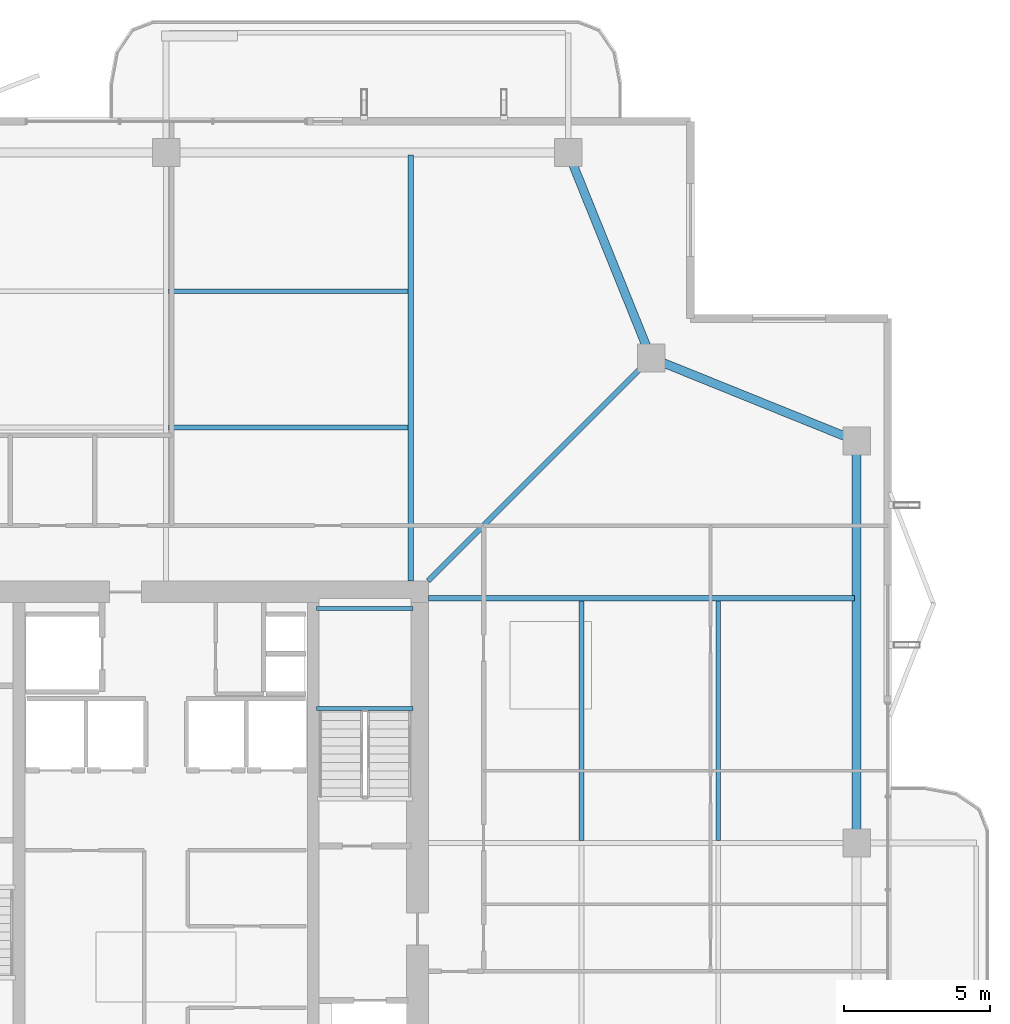
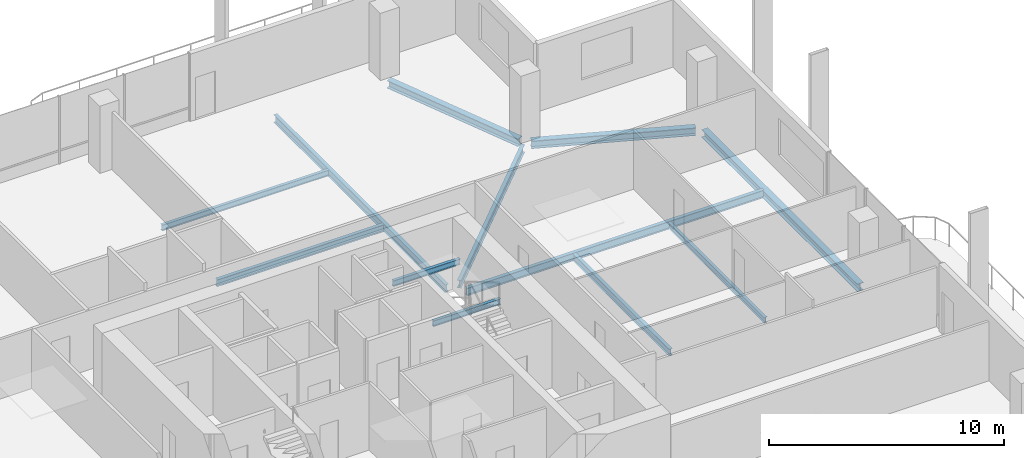
# One storey, part 14 of 25: 12 beams.
"""IFC4 building model written with IfcOpenShell, lengths in metres."""

from ifc_helpers import new_model, si_unit, direction, frame, origin, origin_2d, place, context, subcontext, project, spatial, i_section, extrude, material, material_profile, profile_set, type_object, element, save


model = new_model("IFC4")

# Units and contexts
model_context = context("Model", 3, precision=1e-05, world=origin(), true_north=direction((0.0, 1.0)))
body_context = subcontext(model_context, "Body", "Model", "MODEL_VIEW")
ifc_project = project(units=[si_unit("LENGTHUNIT", "METRE"), si_unit("AREAUNIT", "SQUARE_METRE"), si_unit("VOLUMEUNIT", "CUBIC_METRE"), si_unit("PLANEANGLEUNIT", "RADIAN"), si_unit("MASSUNIT", "GRAM", prefix="KILO")], contexts=[model_context])

# Site, building, storey
site_placement = place(None, origin())
site = spatial("IfcSite", under=ifc_project, at=site_placement, CompositionType="ELEMENT")
building_placement = place(site_placement, origin())
building = spatial("IfcBuilding", under=site, at=building_placement, Name="Belovzor Exchange Tower", CompositionType="ELEMENT")
storey_placement = place(building_placement, frame((0.0, 0.0, 265.35009765625)))
storey = spatial("IfcBuildingStorey", under=building, at=storey_placement, Name="L66", CompositionType="ELEMENT", Elevation=265.35009765625)

# Beams
ifc_material_1 = material(Name="Steel S355", Category="steel")
ifc_material_profile_1 = material_profile(ifc_material_1, i_section(OverallWidth=0.169921875, OverallDepth=0.360107421875, WebThickness=0.008056640625, FlangeThickness=0.0126953125, at=origin_2d()))
ifc_profile_set_1 = profile_set([ifc_material_profile_1], Name="Steel S355")
beam_type_1 = type_object("IfcBeamType", Name="Secondary Infill Floor Joist IPE 360", PredefinedType="BEAM", material=ifc_profile_set_1)
for number, where, z_axis, x_axis, name in (
    (1, (28.889892578125, 43.06494140625, -0.43017578125), (1.0, 0.0, 0.0), (0.0, 1.0, 0.0), "FJ-360 Secondary Infill Floor Joist IPE 360"),
    (2, (43.06494140625, 28.889892578125, -0.43017578125), (0.0, 1.0, 0.0), (-1.0, 0.0, 0.0), "FJ-360 Secondary Infill Floor Joist IPE 360"),
):
    element("IfcBeam", number, at=place(storey_placement, frame(where, z_axis=z_axis, x_axis=x_axis)), inside=storey, type_object=beam_type_1, Name=name, PredefinedType="BEAM", context=body_context, shape_type="SweptSolid", body=[
        extrude(i_section(OverallWidth=0.169921875, OverallDepth=0.360107421875, WebThickness=0.008056640625, FlangeThickness=0.0126953125, at=origin_2d()), origin(), (0.0, 0.0, 1.0), 8.22021484375),
    ])
ifc_material_2 = material(Name="Steel S355", Category="steel")
ifc_material_profile_2 = material_profile(ifc_material_2, i_section(OverallWidth=0.14990234375, OverallDepth=0.300048828125, WebThickness=0.007080078125, FlangeThickness=0.0107421875, at=origin_2d()))
ifc_profile_set_2 = profile_set([ifc_material_profile_2], Name="Steel S355")
beam_type_2 = type_object("IfcBeamType", Name="Secondary Trim Floor Joist IPE 300", PredefinedType="BEAM", material=ifc_profile_set_2)
for number, where, z_axis, x_axis, name in (
    (3, (37.280029296875, 33.419921875, 1.52490234375), (-1.0, 0.0, 0.0), (0.0, -1.0, 0.0), "FJ-300 Secondary Trim Floor Joist IPE 300"),
    (4, (37.280029296875, 36.85009765625, 1.52490234375), (-1.0, 0.0, 0.0), (0.0, -1.0, 0.0), "FJ-300 Secondary Trim Floor Joist IPE 300"),
):
    element("IfcBeam", number, at=place(storey_placement, frame(where, z_axis=z_axis, x_axis=x_axis)), inside=storey, type_object=beam_type_2, Name=name, PredefinedType="BEAM", context=body_context, shape_type="SweptSolid", body=[
        extrude(i_section(OverallWidth=0.14990234375, OverallDepth=0.300048828125, WebThickness=0.007080078125, FlangeThickness=0.0107421875, at=origin_2d()), origin(), (0.0, 0.0, 1.0), 3.31005859375),
    ])
for number, where, z_axis, x_axis, name in (
    (5, (28.889892578125, 47.7451171875, -0.400146484375), (1.0, 0.0, 0.0), (0.0, 1.0, 0.0), "FJ-300 Secondary Trim Floor Joist IPE 300"),
    (6, (47.7451171875, 28.889892578125, -0.400146484375), (0.0, 1.0, 0.0), (-1.0, 0.0, 0.0), "FJ-300 Secondary Trim Floor Joist IPE 300"),
):
    element("IfcBeam", number, at=place(storey_placement, frame(where, z_axis=z_axis, x_axis=x_axis)), inside=storey, type_object=beam_type_2, Name=name, PredefinedType="BEAM", context=body_context, shape_type="SweptSolid", body=[
        extrude(i_section(OverallWidth=0.14990234375, OverallDepth=0.300048828125, WebThickness=0.007080078125, FlangeThickness=0.0107421875, at=origin_2d()), origin(), (0.0, 0.0, 1.0), 8.22021484375),
    ])
ifc_material_3 = material(Name="Steel S355", Category="steel")
ifc_material_profile_3 = material_profile(ifc_material_3, i_section(OverallWidth=0.300048828125, OverallDepth=0.39990234375, WebThickness=0.013427734375, FlangeThickness=0.02392578125, at=origin_2d()))
ifc_profile_set_3 = profile_set([ifc_material_profile_3], Name="Steel S355")
beam_type_3 = type_object("IfcBeamType", Name="Zone 5 Primary Girder HEB 400", PredefinedType="BEAM", material=ifc_profile_set_3)
beam_1_placement = place(storey_placement, frame((52.5, 29.06103515625, -0.4501953125), z_axis=(0.0, 1.0, 0.0), x_axis=(-1.0, 0.0, 0.0)))
element("IfcBeam", 7, at=beam_1_placement, inside=storey, type_object=beam_type_3, Name="FG-Z5 Zone 5 Primary Girder HEB 400", PredefinedType="BEAM", context=body_context, shape_type="SweptSolid", body=[
    extrude(i_section(OverallWidth=0.300048828125, OverallDepth=0.39990234375, WebThickness=0.013427734375, FlangeThickness=0.02392578125, at=origin_2d()), origin(), (0.0, 0.0, 1.0), 13.278076171875),
])
for number, where, z_axis, x_axis, name in (
    (8, (52.258056640625, 42.697998046875, -0.4501953125), (-0.927127394661, 0.374746306278, 0.0), (-0.374746306278, -0.927127394661, 0.0), "FG-Z5 Zone 5 Primary Girder HEB 400"),
    (9, (45.35205078125, 45.69189453125, -0.4501953125), (-0.374746306278, 0.927127394661, 0.0), (-0.927127394661, -0.374746306278, 0.0), "FG-Z5 Zone 5 Primary Girder HEB 400"),
):
    element("IfcBeam", number, at=place(storey_placement, frame(where, z_axis=z_axis, x_axis=x_axis)), inside=storey, type_object=beam_type_3, Name=name, PredefinedType="BEAM", context=body_context, shape_type="SweptSolid", body=[
        extrude(i_section(OverallWidth=0.300048828125, OverallDepth=0.39990234375, WebThickness=0.013427734375, FlangeThickness=0.02392578125, at=origin_2d()), origin(), (0.0, 0.0, 1.0), 7.082275390625),
    ])
ifc_material_4 = material(Name="Steel S355", Category="steel")
ifc_material_profile_4 = material_profile(ifc_material_4, i_section(OverallWidth=0.179931640625, OverallDepth=0.39990234375, WebThickness=0.008544921875, FlangeThickness=0.013427734375, at=origin_2d()))
ifc_profile_set_4 = profile_set([ifc_material_profile_4], Name="Steel S355")
beam_type_4 = type_object("IfcBeamType", Name="Zone 5-6 Radial Composite Floor Beam IPE 400", PredefinedType="BEAM", material=ifc_profile_set_4)
for number, where, z_axis, x_axis, name in (
    (10, (37.199951171875, 37.800048828125, -0.4501953125), (0.0, 1.0, 0.0), (-1.0, 0.0, 0.0), "FB-400 Zone 5-6 Radial Composite Floor Beam IPE 400"),
    (11, (37.800048828125, 37.199951171875, -0.4501953125), (1.0, 0.0, 0.0), (0.0, 1.0, 0.0), "FB-400 Zone 5-6 Radial Composite Floor Beam IPE 400"),
):
    element("IfcBeam", number, at=place(storey_placement, frame(where, z_axis=z_axis, x_axis=x_axis)), inside=storey, type_object=beam_type_4, Name=name, PredefinedType="BEAM", context=body_context, shape_type="SweptSolid", body=[
        extrude(i_section(OverallWidth=0.179931640625, OverallDepth=0.39990234375, WebThickness=0.008544921875, FlangeThickness=0.013427734375, at=origin_2d()), origin(), (0.0, 0.0, 1.0), 14.625),
    ])
beam_2_placement = place(storey_placement, frame((37.800048828125, 37.800048828125, -0.4501953125), z_axis=(0.707106781187, 0.707106781187, 0.0), x_axis=(-0.707106781187, 0.707106781187, 0.0)))
element("IfcBeam", 12, at=beam_2_placement, inside=storey, type_object=beam_type_4, Name="FB-400 Zone 5-6 Radial Composite Floor Beam IPE 400", PredefinedType="BEAM", context=body_context, shape_type="SweptSolid", body=[
    extrude(i_section(OverallWidth=0.179931640625, OverallDepth=0.39990234375, WebThickness=0.008544921875, FlangeThickness=0.013427734375, at=origin_2d()), origin(), (0.0, 0.0, 1.0), 10.4833984375),
])

save(model, "model.ifc")
